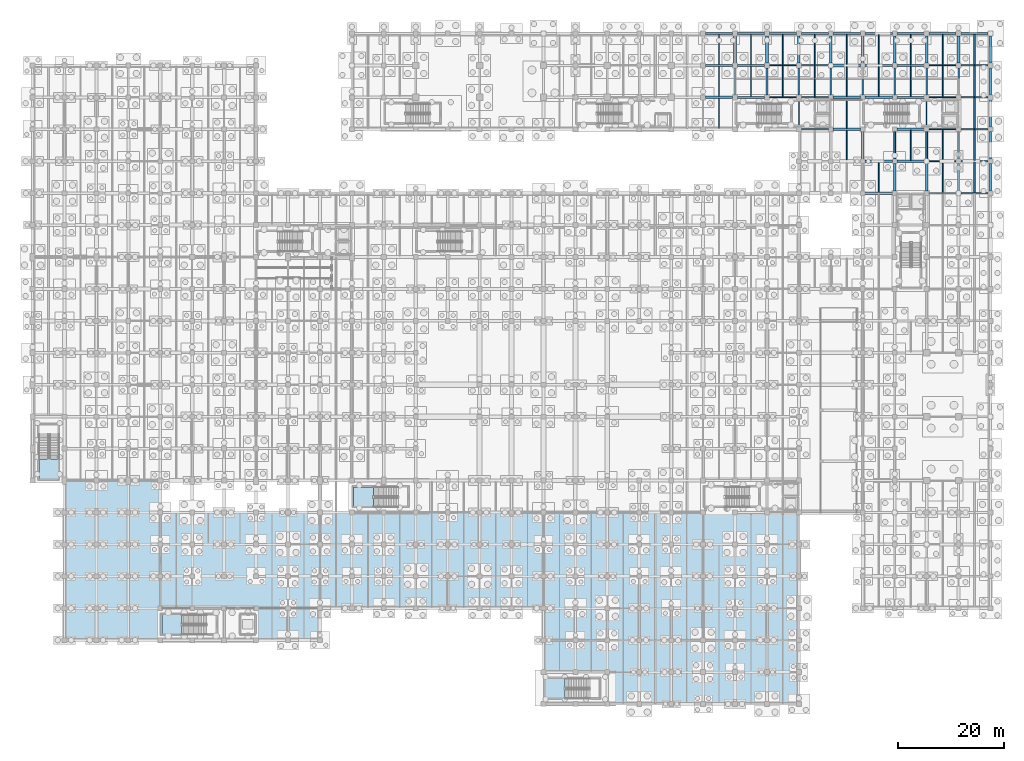
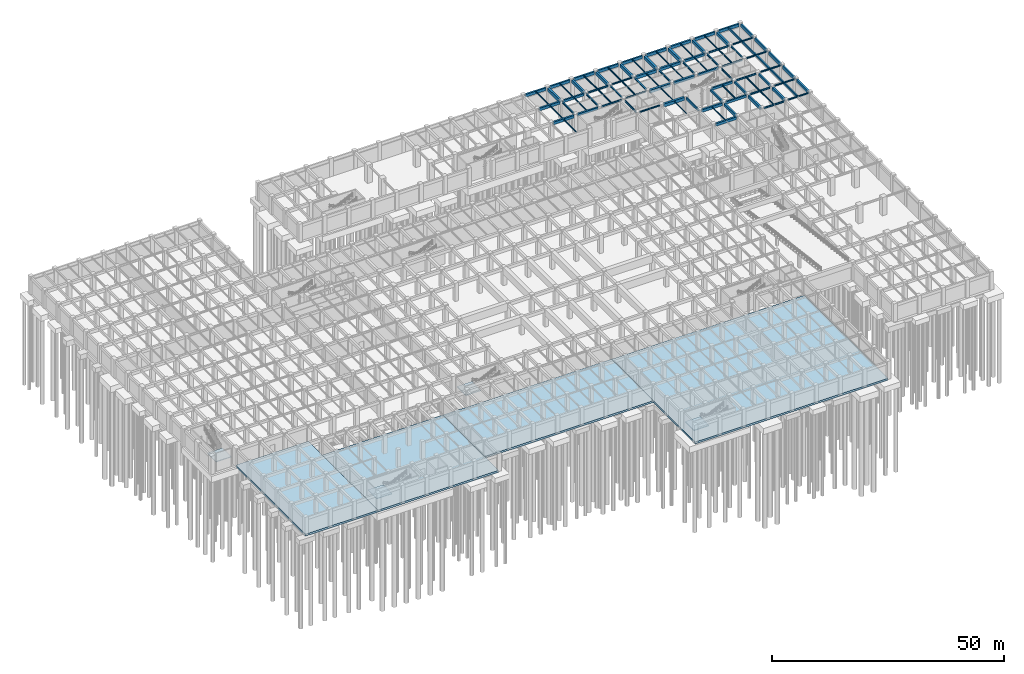
# One storey, part 36 of 54: 97 beams, 8 slabs, 4 elements without a shape of their own.
"""IFC4 building model written with IfcOpenShell, lengths in metres."""

import ifcopenshell
import ifcopenshell.guid

model = None  # the IFC model being written
_history = None  # IfcOwnerHistory: only IFC2X3 demands one
_inside = {}  # id of a spatial element -> (the spatial element, [elements in it])
_under = {}  # id of a project, library or spatial element -> (it, [spatial elements below it])
_declared = {}  # id of a project -> (the project, [libraries it declares])
_typed = {}  # id of a type object -> (the type object, [elements of that type])
_made_of = {}  # id of a material, layer set ... -> (it, [elements and type objects made of it])


def new_model(schema):
    """Start an empty IFC model of exactly this schema.

    Asked for "IFC4X3", IfcOpenShell would pick the latest addendum, in which some entities
    have other attributes; the version numbers below select the first issue.
    IFC2X3 requires an IfcOwnerHistory on every rooted entity: one is made here for all.
    """
    global model, _history
    if schema == "IFC4X3":
        model = ifcopenshell.file(schema_version=(4, 3, 0, 0))
    else:
        model = ifcopenshell.file(schema=schema)
    _inside.clear()
    _under.clear()
    _declared.clear()
    _typed.clear()
    _made_of.clear()
    _history = None
    if model.schema == "IFC2X3":
        org = make("IfcOrganization", Name="unknown")
        user = make(
            "IfcPersonAndOrganization",
            ThePerson=make("IfcPerson", FamilyName="unknown"),
            TheOrganization=org,
        )
        app = make(
            "IfcApplication",
            ApplicationDeveloper=org,
            Version="unknown",
            ApplicationFullName="unknown",
            ApplicationIdentifier="unknown",
        )
        _history = make(
            "IfcOwnerHistory",
            OwningUser=user,
            OwningApplication=app,
            ChangeAction="ADDED",
            CreationDate=0,
        )
    return model


def make(cls, **values):
    """One entity of the class cls with the attributes given. An attribute that is None is left unset."""
    return model.create_entity(
        cls, **{name: value for name, value in values.items() if value is not None}
    )


def rooted(cls, **values):
    """An entity with a GlobalId (a new one), such as an element, a storey or a relation."""
    return make(cls, GlobalId=ifcopenshell.guid.new(), OwnerHistory=_history, **values)


def si_unit(unit_type, name, prefix=None):
    """IfcSIUnit, for example si_unit("LENGTHUNIT", "METRE", prefix="MILLI")."""
    return make("IfcSIUnit", UnitType=unit_type, Prefix=prefix, Name=name)


def assignment(units):
    """IfcUnitAssignment: the units of a project."""
    return None if units is None else make("IfcUnitAssignment", Units=units)


def point(xyz):
    """IfcCartesianPoint."""
    return None if xyz is None else make("IfcCartesianPoint", Coordinates=xyz)


def direction(xyz):
    """IfcDirection."""
    return None if xyz is None else make("IfcDirection", DirectionRatios=xyz)


def frame(location, z_axis=None, x_axis=None):
    """IfcAxis2Placement3D, a coordinate frame: its origin and axes. An axis left out is left unset."""
    return make(
        "IfcAxis2Placement3D",
        Location=point(location),
        Axis=direction(z_axis),
        RefDirection=direction(x_axis),
    )


def frame_2d(location, x_axis=None):
    """IfcAxis2Placement2D, a coordinate frame in the plane: its origin and x axis."""
    return make(
        "IfcAxis2Placement2D", Location=point(location), RefDirection=direction(x_axis)
    )


def origin():
    """The frame at (0, 0, 0) with its axes left unset."""
    return frame((0.0, 0.0, 0.0))


def origin_2d():
    """The frame at (0, 0) in the plane with its x axis left unset."""
    return frame_2d((0.0, 0.0))


def place(relative_to, where):
    """IfcLocalPlacement: puts the frame where relative to a parent placement (None: the world)."""
    return make(
        "IfcLocalPlacement", PlacementRelTo=relative_to, RelativePlacement=where
    )


def context(
    kind, dimensions, precision=None, world=None, true_north=None, identifier=None
):
    """IfcGeometricRepresentationContext, for example the 3D "Model" context."""
    return make(
        "IfcGeometricRepresentationContext",
        ContextIdentifier=identifier,
        ContextType=kind,
        CoordinateSpaceDimension=dimensions,
        Precision=precision,
        WorldCoordinateSystem=world,
        TrueNorth=true_north,
    )


def subcontext(parent, identifier, kind, view, scale=None):
    """IfcGeometricRepresentationSubContext, for example "Body" below "Model"."""
    return make(
        "IfcGeometricRepresentationSubContext",
        ContextIdentifier=identifier,
        ContextType=kind,
        ParentContext=parent,
        TargetScale=scale,
        TargetView=view,
    )


def project(units=None, contexts=None):
    """IfcProject with its units and contexts."""
    return rooted(
        "IfcProject",
        Name="project",
        RepresentationContexts=contexts,
        UnitsInContext=assignment(units),
    )


def spatial(cls, under=None, at=None, **own):
    """A site, building, storey or space (cls), placed at a placement, below another one or the project."""
    s = rooted(cls, ObjectPlacement=at, **own)
    if under is not None:
        _under.setdefault(under.id(), (under, []))[1].append(s)
    return s


def polyline(points):
    """IfcPolyline through the points."""
    return make("IfcPolyline", Points=[point(p) for p in points])


def profile(cls, at=None, kind="AREA", **sizes):
    """A parametric profile (cls). Its sizes go by their IFC names, for example OverallWidth=200.0."""
    return make(cls, ProfileType=kind, Position=at, **sizes)


def rectangle(**sizes):
    """IfcRectangleProfileDef."""
    return profile("IfcRectangleProfileDef", **sizes)


def i_section(**sizes):
    """IfcIShapeProfileDef."""
    return profile("IfcIShapeProfileDef", **sizes)


def outline(outer, holes=None, kind="AREA"):
    """IfcArbitraryClosedProfileDef: a profile drawn as a closed curve; with holes, ...WithVoids."""
    if holes is None:
        return make("IfcArbitraryClosedProfileDef", ProfileType=kind, OuterCurve=outer)
    return make(
        "IfcArbitraryProfileDefWithVoids",
        ProfileType=kind,
        OuterCurve=outer,
        InnerCurves=holes,
    )


def extrude(swept, where, along, depth):
    """IfcExtrudedAreaSolid: the profile swept, set in the frame where, extruded along a direction by depth."""
    return make(
        "IfcExtrudedAreaSolid",
        SweptArea=swept,
        Position=where,
        ExtrudedDirection=direction(along),
        Depth=depth,
    )


def shape(context_of_items, identifier, shape_type, items):
    """IfcShapeRepresentation: the items that make up one representation, for example the "Body"."""
    return make(
        "IfcShapeRepresentation",
        ContextOfItems=context_of_items,
        RepresentationIdentifier=identifier,
        RepresentationType=shape_type,
        Items=items,
    )


def material(Name=None, Category=None):
    """IfcMaterial."""
    return make("IfcMaterial", Name=Name, Category=Category)


def layer(
    of_material, thickness, ventilated=None, Name=None, Category=None, Priority=None
):
    """IfcMaterialLayer: one layer of a wall or slab, of a material (None: an air gap)."""
    return make(
        "IfcMaterialLayer",
        Material=of_material,
        LayerThickness=thickness,
        IsVentilated=ventilated,
        Name=Name,
        Category=Category,
        Priority=Priority,
    )


def layer_set(layers, Name=None):
    """IfcMaterialLayerSet."""
    return make("IfcMaterialLayerSet", MaterialLayers=layers, LayerSetName=Name)


def material_profile(
    of_material, cross_section, Name=None, Category=None, Priority=None
):
    """IfcMaterialProfile: a cross section and its material."""
    return make(
        "IfcMaterialProfile",
        Name=Name,
        Material=of_material,
        Profile=cross_section,
        Priority=Priority,
        Category=Category,
    )


def profile_set(profiles, Name=None, composite=None):
    """IfcMaterialProfileSet."""
    return make(
        "IfcMaterialProfileSet",
        Name=Name,
        MaterialProfiles=profiles,
        CompositeProfile=composite,
    )


def made_of(thing, what):
    """Note that an element or type object is made of a material, layer set ...; save() writes the relation."""
    if what is not None:
        _made_of.setdefault(what.id(), (what, []))[1].append(thing)
    return thing


def type_object(cls, material=None, **own):
    """A type object (cls), such as IfcWallType, which elements share."""
    return made_of(rooted(cls, **own), material)


def element(
    cls,
    number,
    at=None,
    inside=None,
    cuts=None,
    type_object=None,
    material=None,
    context=None,
    identifier="Body",
    shape_type=None,
    held_by="IfcProductDefinitionShape",
    body=None,
    shapes=None,
    **own,
):
    """One element of the class cls, such as IfcWall. Its Tag is "e" and its number.

    at: its placement. inside: the storey or other place that contains it. cuts: it is an
    opening in that element (IfcRelVoidsElement). A single representation is given by context,
    identifier, shape_type and body (its items); several are given by shapes. held_by: the class
    of the entity that holds the representations. save() writes the other relations.
    """
    e = rooted(cls, Tag="e%d" % number, ObjectPlacement=at, **own)
    if body is not None:
        shapes = [shape(context, identifier, shape_type, body)]
    if shapes is not None:
        e.Representation = make(held_by, Representations=shapes)
    if inside is not None:
        _inside.setdefault(inside.id(), (inside, []))[1].append(e)
    if cuts is not None:
        rooted(
            "IfcRelVoidsElement", RelatingBuildingElement=cuts, RelatedOpeningElement=e
        )
    if type_object is not None:
        _typed.setdefault(type_object.id(), (type_object, []))[1].append(e)
    return made_of(e, material)


def aggregate(whole, parts):
    """IfcRelAggregates: a whole, such as a stair, and the parts it consists of."""
    return rooted("IfcRelAggregates", RelatingObject=whole, RelatedObjects=parts)


def save(model, path):
    """Write the relations noted so far, then the file.

    IfcRelAggregates (storeys below a building ...), IfcRelContainedInSpatialStructure (elements
    in a storey), IfcRelDefinesByType, IfcRelAssociatesMaterial and IfcRelDeclares: one each for
    every whole, place, type object, material and project.
    """
    for whole, parts in _under.values():
        aggregate(whole, parts)
    for where, things in _inside.values():
        rooted(
            "IfcRelContainedInSpatialStructure",
            RelatedElements=things,
            RelatingStructure=where,
        )
    for kind, things in _typed.values():
        rooted("IfcRelDefinesByType", RelatedObjects=things, RelatingType=kind)
    for what, things in _made_of.values():
        rooted("IfcRelAssociatesMaterial", RelatedObjects=things, RelatingMaterial=what)
    for by, libraries in _declared.values():
        rooted("IfcRelDeclares", RelatingContext=by, RelatedDefinitions=libraries)
    model.write(path)


model = new_model("IFC4")

# Units and contexts
model_context = context("Model", 3, precision=1e-05, world=origin(), true_north=direction((0.0, 1.0)))
body_context = subcontext(model_context, "Body", "Model", "MODEL_VIEW")
ifc_project = project(units=[si_unit("LENGTHUNIT", "METRE"), si_unit("AREAUNIT", "SQUARE_METRE"), si_unit("VOLUMEUNIT", "CUBIC_METRE"), si_unit("PLANEANGLEUNIT", "RADIAN"), si_unit("MASSUNIT", "GRAM", prefix="KILO"), si_unit("THERMODYNAMICTEMPERATUREUNIT", "KELVIN"), si_unit("POWERUNIT", "WATT")], contexts=[model_context])

# Site, building, storey
site_placement = place(None, origin())
site = spatial("IfcSite", under=ifc_project, at=site_placement, CompositionType="ELEMENT")
building_placement = place(site_placement, origin())
building = spatial("IfcBuilding", under=site, at=building_placement, Name="Phaisarnlok Congress Hotel", CompositionType="ELEMENT")
storey_placement = place(building_placement, frame((0.0, 0.0, -4.800048828125)))
storey = spatial("IfcBuildingStorey", under=building, at=storey_placement, Name="B01", CompositionType="ELEMENT", Elevation=-4.800048828125)

# Beams
ifc_material_1 = material(Name="Concrete C40/50", Category="concrete")
ifc_material_profile_1 = material_profile(ifc_material_1, rectangle(XDim=0.35009765625, YDim=0.550048828125, at=origin_2d()), Name="RC 350x550")
ifc_profile_set_1 = profile_set([ifc_material_profile_1], Name="Concrete C40/50")
beam_type_1 = type_object("IfcBeamType", Name="BM-RC-350x550", PredefinedType="BEAM", material=ifc_profile_set_1)
for number, where, z_axis, x_axis, name in (
    (1, (156.0, 102.445068359375, 4.22509765625), (0.0, 1.0, 0.0), (-1.0, 0.0, 0.0), "Beam B-01"),
    (2, (162.0, 102.445068359375, 4.22509765625), (0.0, 1.0, 0.0), (-1.0, 0.0, 0.0), "Beam B-01"),
    (3, (168.0, 102.445068359375, 4.22509765625), (0.0, 1.0, 0.0), (-1.0, 0.0, 0.0), "Beam B-01"),
    (4, (174.0, 102.445068359375, 4.22509765625), (0.0, 1.0, 0.0), (-1.0, 0.0, 0.0), "Beam B-01"),
):
    element("IfcBeam", number, at=place(storey_placement, frame(where, z_axis=z_axis, x_axis=x_axis)), inside=storey, type_object=beam_type_1, Name=name, PredefinedType="BEAM", context=body_context, shape_type="SweptSolid", body=[
        extrude(rectangle(XDim=0.35009765625, YDim=0.550048828125, at=origin_2d()), origin(), (0.0, 0.0, 1.0), 5.10986328125),
    ])
ifc_material_profile_2 = material_profile(ifc_material_1, rectangle(XDim=0.39990234375, YDim=0.60009765625, at=origin_2d()), Name="RC 400x600")
ifc_profile_set_2 = profile_set([ifc_material_profile_2], Name="Concrete C40/50")
beam_type_2 = type_object("IfcBeamType", Name="BM-RC-400x600", PredefinedType="BEAM", material=ifc_profile_set_2)
for number, where, z_axis, x_axis, name in (
    (5, (132.445068359375, 114.0, 4.199951171875), (1.0, 0.0, 0.0), (0.0, 1.0, 0.0), "Beam B-02"),
    (6, (132.445068359375, 120.0, 4.199951171875), (1.0, 0.0, 0.0), (0.0, 1.0, 0.0), "Beam B-02"),
    (7, (162.445068359375, 102.0, 4.199951171875), (1.0, 0.0, 0.0), (0.0, 1.0, 0.0), "Beam B-02"),
    (8, (162.445068359375, 108.0, 4.199951171875), (1.0, 0.0, 0.0), (0.0, 1.0, 0.0), "Beam B-02"),
    (9, (162.445068359375, 114.0, 4.199951171875), (1.0, 0.0, 0.0), (0.0, 1.0, 0.0), "Beam B-02"),
    (10, (162.445068359375, 120.0, 4.199951171875), (1.0, 0.0, 0.0), (0.0, 1.0, 0.0), "Beam B-02"),
):
    element("IfcBeam", number, at=place(storey_placement, frame(where, z_axis=z_axis, x_axis=x_axis)), inside=storey, type_object=beam_type_2, Name=name, PredefinedType="BEAM", context=body_context, shape_type="SweptSolid", body=[
        extrude(rectangle(XDim=0.39990234375, YDim=0.60009765625, at=origin_2d()), origin(), (0.0, 0.0, 1.0), 5.10986328125),
    ])
ifc_material_profile_3 = material_profile(ifc_material_1, rectangle(XDim=0.449951171875, YDim=0.699951171875, at=origin_2d()), Name="RC 450x700")
ifc_profile_set_3 = profile_set([ifc_material_profile_3], Name="Concrete C40/50")
beam_type_3 = type_object("IfcBeamType", Name="BM-RC-450x700", PredefinedType="BEAM", material=ifc_profile_set_3)
for number, where, z_axis, x_axis, name in (
    (11, (126.445068359375, 114.0, 4.150146484375), (1.0, 0.0, 0.0), (0.0, 1.0, 0.0), "Beam B-03"),
    (12, (126.445068359375, 120.0, 4.150146484375), (1.0, 0.0, 0.0), (0.0, 1.0, 0.0), "Beam B-03"),
    (13, (156.445068359375, 96.0, 4.150146484375), (1.0, 0.0, 0.0), (0.0, 1.0, 0.0), "Beam B-03"),
    (14, (156.445068359375, 102.0, 4.150146484375), (1.0, 0.0, 0.0), (0.0, 1.0, 0.0), "Beam B-03"),
    (15, (156.445068359375, 114.0, 4.150146484375), (1.0, 0.0, 0.0), (0.0, 1.0, 0.0), "Beam B-03"),
    (16, (156.445068359375, 120.0, 4.150146484375), (1.0, 0.0, 0.0), (0.0, 1.0, 0.0), "Beam B-03"),
    (17, (162.0, 96.445068359375, 4.150146484375), (0.0, 1.0, 0.0), (-1.0, 0.0, 0.0), "Beam B-03"),
    (18, (168.0, 96.445068359375, 4.150146484375), (0.0, 1.0, 0.0), (-1.0, 0.0, 0.0), "Beam B-03"),
    (19, (174.0, 96.445068359375, 4.150146484375), (0.0, 1.0, 0.0), (-1.0, 0.0, 0.0), "Beam B-03"),
):
    element("IfcBeam", number, at=place(storey_placement, frame(where, z_axis=z_axis, x_axis=x_axis)), inside=storey, type_object=beam_type_3, Name=name, PredefinedType="BEAM", context=body_context, shape_type="SweptSolid", body=[
        extrude(rectangle(XDim=0.449951171875, YDim=0.699951171875, at=origin_2d()), origin(), (0.0, 0.0, 1.0), 5.10986328125),
    ])
ifc_material_profile_4 = material_profile(ifc_material_1, rectangle(XDim=0.5, YDim=0.800048828125, at=origin_2d()), Name="RC 500x800")
ifc_profile_set_4 = profile_set([ifc_material_profile_4], Name="Concrete C40/50")
beam_type_4 = type_object("IfcBeamType", Name="BM-RC-500x800", PredefinedType="BEAM", material=ifc_profile_set_4)
for number, where, z_axis, x_axis, name in (
    (20, (132.0, 120.445068359375, 4.10009765625), (0.0, 1.0, 0.0), (-1.0, 0.0, 0.0), "Beam B-04"),
    (21, (138.0, 120.445068359375, 4.10009765625), (0.0, 1.0, 0.0), (-1.0, 0.0, 0.0), "Beam B-04"),
    (22, (144.0, 120.445068359375, 4.10009765625), (0.0, 1.0, 0.0), (-1.0, 0.0, 0.0), "Beam B-04"),
    (23, (150.445068359375, 108.0, 4.10009765625), (1.0, 0.0, 0.0), (0.0, 1.0, 0.0), "Beam B-04"),
    (24, (150.445068359375, 114.0, 4.10009765625), (1.0, 0.0, 0.0), (0.0, 1.0, 0.0), "Beam B-04"),
    (25, (150.445068359375, 120.0, 4.10009765625), (1.0, 0.0, 0.0), (0.0, 1.0, 0.0), "Beam B-04"),
    (26, (150.0, 120.445068359375, 4.10009765625), (0.0, 1.0, 0.0), (-1.0, 0.0, 0.0), "Beam B-04"),
    (27, (156.0, 120.445068359375, 4.10009765625), (0.0, 1.0, 0.0), (-1.0, 0.0, 0.0), "Beam B-04"),
    (28, (162.0, 120.445068359375, 4.10009765625), (0.0, 1.0, 0.0), (-1.0, 0.0, 0.0), "Beam B-04"),
    (29, (168.0, 120.445068359375, 4.10009765625), (0.0, 1.0, 0.0), (-1.0, 0.0, 0.0), "Beam B-04"),
    (30, (174.0, 120.445068359375, 4.10009765625), (0.0, 1.0, 0.0), (-1.0, 0.0, 0.0), "Beam B-04"),
):
    element("IfcBeam", number, at=place(storey_placement, frame(where, z_axis=z_axis, x_axis=x_axis)), inside=storey, type_object=beam_type_4, Name=name, PredefinedType="BEAM", context=body_context, shape_type="SweptSolid", body=[
        extrude(rectangle(XDim=0.5, YDim=0.800048828125, at=origin_2d()), origin(), (0.0, 0.0, 1.0), 5.10986328125),
    ])
ifc_material_2 = material(Name="Steel S355", Category="steel")
ifc_material_profile_5 = material_profile(ifc_material_2, i_section(OverallWidth=0.300048828125, OverallDepth=0.2900390625, WebThickness=0.008544921875, FlangeThickness=0.013916015625, FilletRadius=0.027099609375, at=origin_2d()), Name="HEA 300")
ifc_profile_set_5 = profile_set([ifc_material_profile_5], Name="Steel S355")
beam_type_5 = type_object("IfcBeamType", Name="BM-STL-HEA300", PredefinedType="BEAM", material=ifc_profile_set_5)
for number, where, z_axis, x_axis, name in (
    (31, (144.445068359375, 108.0, 4.35498046875), (1.0, 0.0, 0.0), (0.0, 1.0, 0.0), "Beam SB-05"),
    (32, (144.445068359375, 114.0, 4.35498046875), (1.0, 0.0, 0.0), (0.0, 1.0, 0.0), "Beam SB-05"),
    (33, (144.445068359375, 120.0, 4.35498046875), (1.0, 0.0, 0.0), (0.0, 1.0, 0.0), "Beam SB-05"),
    (34, (174.445068359375, 96.0, 4.35498046875), (1.0, 0.0, 0.0), (0.0, 1.0, 0.0), "Beam SB-05"),
    (35, (174.445068359375, 102.0, 4.35498046875), (1.0, 0.0, 0.0), (0.0, 1.0, 0.0), "Beam SB-05"),
    (36, (174.445068359375, 108.0, 4.35498046875), (1.0, 0.0, 0.0), (0.0, 1.0, 0.0), "Beam SB-05"),
    (37, (174.445068359375, 114.0, 4.35498046875), (1.0, 0.0, 0.0), (0.0, 1.0, 0.0), "Beam SB-05"),
    (38, (174.445068359375, 120.0, 4.35498046875), (1.0, 0.0, 0.0), (0.0, 1.0, 0.0), "Beam SB-05"),
):
    element("IfcBeam", number, at=place(storey_placement, frame(where, z_axis=z_axis, x_axis=x_axis)), inside=storey, type_object=beam_type_5, Name=name, PredefinedType="BEAM", context=body_context, shape_type="SweptSolid", body=[
        extrude(i_section(OverallWidth=0.300048828125, OverallDepth=0.2900390625, WebThickness=0.008544921875, FlangeThickness=0.013916015625, FilletRadius=0.027099609375, at=origin_2d()), origin(), (0.0, 0.0, 1.0), 5.10986328125),
    ])
ifc_material_profile_6 = material_profile(ifc_material_2, i_section(OverallWidth=0.300048828125, OverallDepth=0.340087890625, WebThickness=0.011962890625, FlangeThickness=0.021484375, FilletRadius=0.027099609375, at=origin_2d()), Name="HEB 340")
ifc_profile_set_6 = profile_set([ifc_material_profile_6], Name="Steel S355")
beam_type_6 = type_object("IfcBeamType", Name="BM-STL-HEB340", PredefinedType="BEAM", material=ifc_profile_set_6)
for number, where, z_axis, x_axis, name in (
    (39, (132.0, 114.445068359375, 4.330078125), (0.0, 1.0, 0.0), (-1.0, 0.0, 0.0), "Beam SB-07"),
    (40, (138.0, 114.445068359375, 4.330078125), (0.0, 1.0, 0.0), (-1.0, 0.0, 0.0), "Beam SB-07"),
    (41, (144.0, 114.445068359375, 4.330078125), (0.0, 1.0, 0.0), (-1.0, 0.0, 0.0), "Beam SB-07"),
    (42, (150.0, 114.445068359375, 4.330078125), (0.0, 1.0, 0.0), (-1.0, 0.0, 0.0), "Beam SB-07"),
    (43, (156.0, 114.445068359375, 4.330078125), (0.0, 1.0, 0.0), (-1.0, 0.0, 0.0), "Beam SB-07"),
    (44, (162.0, 114.445068359375, 4.330078125), (0.0, 1.0, 0.0), (-1.0, 0.0, 0.0), "Beam SB-07"),
    (45, (168.0, 114.445068359375, 4.330078125), (0.0, 1.0, 0.0), (-1.0, 0.0, 0.0), "Beam SB-07"),
    (46, (174.0, 114.445068359375, 4.330078125), (0.0, 1.0, 0.0), (-1.0, 0.0, 0.0), "Beam SB-07"),
):
    element("IfcBeam", number, at=place(storey_placement, frame(where, z_axis=z_axis, x_axis=x_axis)), inside=storey, type_object=beam_type_6, Name=name, PredefinedType="BEAM", context=body_context, shape_type="SweptSolid", body=[
        extrude(i_section(OverallWidth=0.300048828125, OverallDepth=0.340087890625, WebThickness=0.011962890625, FlangeThickness=0.021484375, FilletRadius=0.027099609375, at=origin_2d()), origin(), (0.0, 0.0, 1.0), 5.10986328125),
    ])
ifc_material_profile_7 = material_profile(ifc_material_2, i_section(OverallWidth=0.18994140625, OverallDepth=0.449951171875, WebThickness=0.009521484375, FlangeThickness=0.0146484375, FilletRadius=0.02099609375, at=origin_2d()), Name="IPE 450")
ifc_profile_set_7 = profile_set([ifc_material_profile_7], Name="Steel S355")
beam_type_7 = type_object("IfcBeamType", Name="BM-STL-IPE450", PredefinedType="BEAM", material=ifc_profile_set_7)
for number, where, z_axis, x_axis, name in (
    (47, (138.445068359375, 114.0, 4.275146484375), (1.0, 0.0, 0.0), (0.0, 1.0, 0.0), "Beam SB-01"),
    (48, (138.445068359375, 120.0, 4.275146484375), (1.0, 0.0, 0.0), (0.0, 1.0, 0.0), "Beam SB-01"),
    (49, (168.445068359375, 96.0, 4.275146484375), (1.0, 0.0, 0.0), (0.0, 1.0, 0.0), "Beam SB-01"),
    (50, (168.445068359375, 102.0, 4.275146484375), (1.0, 0.0, 0.0), (0.0, 1.0, 0.0), "Beam SB-01"),
    (51, (168.445068359375, 108.0, 4.275146484375), (1.0, 0.0, 0.0), (0.0, 1.0, 0.0), "Beam SB-01"),
    (52, (168.445068359375, 114.0, 4.275146484375), (1.0, 0.0, 0.0), (0.0, 1.0, 0.0), "Beam SB-01"),
    (53, (168.445068359375, 120.0, 4.275146484375), (1.0, 0.0, 0.0), (0.0, 1.0, 0.0), "Beam SB-01"),
):
    element("IfcBeam", number, at=place(storey_placement, frame(where, z_axis=z_axis, x_axis=x_axis)), inside=storey, type_object=beam_type_7, Name=name, PredefinedType="BEAM", context=body_context, shape_type="SweptSolid", body=[
        extrude(i_section(OverallWidth=0.18994140625, OverallDepth=0.449951171875, WebThickness=0.009521484375, FlangeThickness=0.0146484375, FilletRadius=0.02099609375, at=origin_2d()), origin(), (0.0, 0.0, 1.0), 5.10986328125),
    ])
ifc_material_profile_8 = material_profile(ifc_material_2, i_section(OverallWidth=0.199951171875, OverallDepth=0.5, WebThickness=0.01025390625, FlangeThickness=0.01611328125, FilletRadius=0.02099609375, at=origin_2d()), Name="IPE 500")
ifc_profile_set_8 = profile_set([ifc_material_profile_8], Name="Steel S355")
beam_type_8 = type_object("IfcBeamType", Name="BM-STL-IPE500", PredefinedType="BEAM", material=ifc_profile_set_8)
for number, where, z_axis, x_axis, name in (
    (54, (144.0, 108.445068359375, 4.25), (0.0, 1.0, 0.0), (-1.0, 0.0, 0.0), "Beam SB-02"),
    (55, (168.0, 108.445068359375, 4.25), (0.0, 1.0, 0.0), (-1.0, 0.0, 0.0), "Beam SB-02"),
):
    element("IfcBeam", number, at=place(storey_placement, frame(where, z_axis=z_axis, x_axis=x_axis)), inside=storey, type_object=beam_type_8, Name=name, PredefinedType="BEAM", context=body_context, shape_type="SweptSolid", body=[
        extrude(i_section(OverallWidth=0.199951171875, OverallDepth=0.5, WebThickness=0.01025390625, FlangeThickness=0.01611328125, FilletRadius=0.02099609375, at=origin_2d()), origin(), (0.0, 0.0, 1.0), 5.10986328125),
    ])
ifc_material_profile_9 = material_profile(ifc_material_1, rectangle(XDim=0.300048828125, YDim=0.5, at=origin_2d()), Name="RC 300x500")
ifc_profile_set_9 = profile_set([ifc_material_profile_9], Name="Concrete C40/50")
beam_type_9 = type_object("IfcBeamType", Name="JS-RC-300x500", PredefinedType="JOIST", material=ifc_profile_set_9)
for number, where, z_axis, x_axis, name in (
    (56, (177.0, 96.14501953125, 4.25), (0.0, 1.0, 0.0), (-1.0, 0.0, 0.0), "Secondary floor joist J-01"),
    (57, (177.0, 102.14501953125, 4.25), (0.0, 1.0, 0.0), (-1.0, 0.0, 0.0), "Secondary floor joist J-01"),
    (58, (177.0, 108.14501953125, 4.25), (0.0, 1.0, 0.0), (-1.0, 0.0, 0.0), "Secondary floor joist J-01"),
    (59, (177.0, 114.14501953125, 4.25), (0.0, 1.0, 0.0), (-1.0, 0.0, 0.0), "Secondary floor joist J-01"),
):
    element("IfcBeam", number, at=place(storey_placement, frame(where, z_axis=z_axis, x_axis=x_axis)), inside=storey, type_object=beam_type_9, Name=name, PredefinedType="JOIST", context=body_context, shape_type="SweptSolid", body=[
        extrude(rectangle(XDim=0.300048828125, YDim=0.5, at=origin_2d()), origin(), (0.0, 0.0, 1.0), 5.7099609375),
    ])
beam_1_placement = place(storey_placement, frame((177.0, 120.14501953125, 4.25), z_axis=(0.0, 1.0, 0.0), x_axis=(-1.0, 0.0, 0.0)))
element("IfcBeam", 60, at=beam_1_placement, inside=storey, type_object=beam_type_9, Name="Secondary floor joist J-01", PredefinedType="JOIST", context=body_context, shape_type="SweptSolid", body=[
    extrude(rectangle(XDim=0.300048828125, YDim=0.5, at=origin_2d()), origin(), (0.0, 0.0, 1.0), 5.659912109375),
])
ifc_material_profile_10 = material_profile(ifc_material_2, i_section(OverallWidth=0.135009765625, OverallDepth=0.27001953125, WebThickness=0.006591796875, FlangeThickness=0.01025390625, FilletRadius=0.014892578125, at=origin_2d()), Name="IPE 270")
ifc_profile_set_10 = profile_set([ifc_material_profile_10], Name="Steel S355")
beam_type_10 = type_object("IfcBeamType", Name="JS-STL-IPE270", PredefinedType="JOIST", material=ifc_profile_set_10)
for number, where, z_axis, x_axis, name in (
    (61, (153.0, 102.2451171875, 4.364990234375), (0.0, 1.0, 0.0), (-1.0, 0.0, 0.0), "Secondary floor joist J-02"),
    (62, (153.0, 108.2451171875, 4.364990234375), (0.0, 1.0, 0.0), (-1.0, 0.0, 0.0), "Secondary floor joist J-02"),
    (63, (153.0, 114.2451171875, 4.364990234375), (0.0, 1.0, 0.0), (-1.0, 0.0, 0.0), "Secondary floor joist J-02"),
):
    element("IfcBeam", number, at=place(storey_placement, frame(where, z_axis=z_axis, x_axis=x_axis)), inside=storey, type_object=beam_type_10, Name=name, PredefinedType="JOIST", context=body_context, shape_type="SweptSolid", body=[
        extrude(i_section(OverallWidth=0.135009765625, OverallDepth=0.27001953125, WebThickness=0.006591796875, FlangeThickness=0.01025390625, FilletRadius=0.014892578125, at=origin_2d()), origin(), (0.0, 0.0, 1.0), 5.509765625),
    ])
beam_2_placement = place(storey_placement, frame((153.0, 120.2451171875, 4.364990234375), z_axis=(0.0, 1.0, 0.0), x_axis=(-1.0, 0.0, 0.0)))
element("IfcBeam", 64, at=beam_2_placement, inside=storey, type_object=beam_type_10, Name="Secondary floor joist J-02", PredefinedType="JOIST", context=body_context, shape_type="SweptSolid", body=[
    extrude(i_section(OverallWidth=0.135009765625, OverallDepth=0.27001953125, WebThickness=0.006591796875, FlangeThickness=0.01025390625, FilletRadius=0.014892578125, at=origin_2d()), origin(), (0.0, 0.0, 1.0), 5.559814453125),
])
for number, where, z_axis, x_axis, name in (
    (65, (159.0, 96.219970703125, 4.364990234375), (0.0, 1.0, 0.0), (-1.0, 0.0, 0.0), "Secondary floor joist J-02"),
    (66, (159.0, 114.219970703125, 4.364990234375), (0.0, 1.0, 0.0), (-1.0, 0.0, 0.0), "Secondary floor joist J-02"),
):
    element("IfcBeam", number, at=place(storey_placement, frame(where, z_axis=z_axis, x_axis=x_axis)), inside=storey, type_object=beam_type_10, Name=name, PredefinedType="JOIST", context=body_context, shape_type="SweptSolid", body=[
        extrude(i_section(OverallWidth=0.135009765625, OverallDepth=0.27001953125, WebThickness=0.006591796875, FlangeThickness=0.01025390625, FilletRadius=0.014892578125, at=origin_2d()), origin(), (0.0, 0.0, 1.0), 5.56005859375),
    ])
beam_3_placement = place(storey_placement, frame((159.0, 120.219970703125, 4.364990234375), z_axis=(0.0, 1.0, 0.0), x_axis=(-1.0, 0.0, 0.0)))
element("IfcBeam", 67, at=beam_3_placement, inside=storey, type_object=beam_type_10, Name="Secondary floor joist J-02", PredefinedType="JOIST", context=body_context, shape_type="SweptSolid", body=[
    extrude(i_section(OverallWidth=0.135009765625, OverallDepth=0.27001953125, WebThickness=0.006591796875, FlangeThickness=0.01025390625, FilletRadius=0.014892578125, at=origin_2d()), origin(), (0.0, 0.0, 1.0), 5.5849609375),
])
ifc_material_profile_11 = material_profile(ifc_material_2, i_section(OverallWidth=0.14990234375, OverallDepth=0.300048828125, WebThickness=0.007080078125, FlangeThickness=0.0107421875, FilletRadius=0.014892578125, at=origin_2d()), Name="IPE 300")
ifc_profile_set_11 = profile_set([ifc_material_profile_11], Name="Steel S355")
beam_type_11 = type_object("IfcBeamType", Name="JS-STL-IPE300", PredefinedType="JOIST", material=ifc_profile_set_11)
beam_4_placement = place(storey_placement, frame((129.0, 108.195068359375, 4.35009765625), z_axis=(0.0, 1.0, 0.0), x_axis=(-1.0, 0.0, 0.0)))
element("IfcBeam", 68, at=beam_4_placement, inside=storey, type_object=beam_type_11, Name="Secondary floor joist J-03", PredefinedType="JOIST", context=body_context, shape_type="SweptSolid", body=[
    extrude(i_section(OverallWidth=0.14990234375, OverallDepth=0.300048828125, WebThickness=0.007080078125, FlangeThickness=0.0107421875, FilletRadius=0.014892578125, at=origin_2d()), origin(), (0.0, 0.0, 1.0), 5.5849609375),
])
beam_5_placement = place(storey_placement, frame((129.0, 114.219970703125, 4.35009765625), z_axis=(0.0, 1.0, 0.0), x_axis=(-1.0, 0.0, 0.0)))
element("IfcBeam", 69, at=beam_5_placement, inside=storey, type_object=beam_type_11, Name="Secondary floor joist J-03", PredefinedType="JOIST", context=body_context, shape_type="SweptSolid", body=[
    extrude(i_section(OverallWidth=0.14990234375, OverallDepth=0.300048828125, WebThickness=0.007080078125, FlangeThickness=0.0107421875, FilletRadius=0.014892578125, at=origin_2d()), origin(), (0.0, 0.0, 1.0), 5.56005859375),
])
beam_6_placement = place(storey_placement, frame((129.0, 120.219970703125, 4.35009765625), z_axis=(0.0, 1.0, 0.0), x_axis=(-1.0, 0.0, 0.0)))
element("IfcBeam", 70, at=beam_6_placement, inside=storey, type_object=beam_type_11, Name="Secondary floor joist J-03", PredefinedType="JOIST", context=body_context, shape_type="SweptSolid", body=[
    extrude(i_section(OverallWidth=0.14990234375, OverallDepth=0.300048828125, WebThickness=0.007080078125, FlangeThickness=0.0107421875, FilletRadius=0.014892578125, at=origin_2d()), origin(), (0.0, 0.0, 1.0), 5.5849609375),
])
for number, where, z_axis, x_axis, name in (
    (71, (135.0, 114.195068359375, 4.35009765625), (0.0, 1.0, 0.0), (-1.0, 0.0, 0.0), "Secondary floor joist J-03"),
    (72, (135.0, 120.195068359375, 4.35009765625), (0.0, 1.0, 0.0), (-1.0, 0.0, 0.0), "Secondary floor joist J-03"),
):
    element("IfcBeam", number, at=place(storey_placement, frame(where, z_axis=z_axis, x_axis=x_axis)), inside=storey, type_object=beam_type_11, Name=name, PredefinedType="JOIST", context=body_context, shape_type="SweptSolid", body=[
        extrude(i_section(OverallWidth=0.14990234375, OverallDepth=0.300048828125, WebThickness=0.007080078125, FlangeThickness=0.0107421875, FilletRadius=0.014892578125, at=origin_2d()), origin(), (0.0, 0.0, 1.0), 5.60986328125),
    ])
ifc_material_profile_12 = material_profile(ifc_material_2, i_section(OverallWidth=0.169921875, OverallDepth=0.360107421875, WebThickness=0.008056640625, FlangeThickness=0.0126953125, FilletRadius=0.01806640625, at=origin_2d()), Name="IPE 360")
ifc_profile_set_12 = profile_set([ifc_material_profile_12], Name="Steel S355")
beam_type_12 = type_object("IfcBeamType", Name="JS-STL-IPE360", PredefinedType="JOIST", material=ifc_profile_set_12)
for number, where, z_axis, x_axis, name in (
    (73, (165.0, 102.195068359375, 4.320068359375), (0.0, 1.0, 0.0), (-1.0, 0.0, 0.0), "Secondary floor joist J-04"),
    (74, (165.0, 114.195068359375, 4.320068359375), (0.0, 1.0, 0.0), (-1.0, 0.0, 0.0), "Secondary floor joist J-04"),
    (75, (165.0, 120.195068359375, 4.320068359375), (0.0, 1.0, 0.0), (-1.0, 0.0, 0.0), "Secondary floor joist J-04"),
):
    element("IfcBeam", number, at=place(storey_placement, frame(where, z_axis=z_axis, x_axis=x_axis)), inside=storey, type_object=beam_type_12, Name=name, PredefinedType="JOIST", context=body_context, shape_type="SweptSolid", body=[
        extrude(i_section(OverallWidth=0.169921875, OverallDepth=0.360107421875, WebThickness=0.008056640625, FlangeThickness=0.0126953125, FilletRadius=0.01806640625, at=origin_2d()), origin(), (0.0, 0.0, 1.0), 5.60986328125),
    ])
for number, where, z_axis, x_axis, name in (
    (76, (171.0, 96.090087890625, 4.320068359375), (0.0, 1.0, 0.0), (-1.0, 0.0, 0.0), "Secondary floor joist J-04"),
    (77, (171.0, 102.090087890625, 4.320068359375), (0.0, 1.0, 0.0), (-1.0, 0.0, 0.0), "Secondary floor joist J-04"),
    (78, (171.0, 114.090087890625, 4.320068359375), (0.0, 1.0, 0.0), (-1.0, 0.0, 0.0), "Secondary floor joist J-04"),
):
    element("IfcBeam", number, at=place(storey_placement, frame(where, z_axis=z_axis, x_axis=x_axis)), inside=storey, type_object=beam_type_12, Name=name, PredefinedType="JOIST", context=body_context, shape_type="SweptSolid", body=[
        extrude(i_section(OverallWidth=0.169921875, OverallDepth=0.360107421875, WebThickness=0.008056640625, FlangeThickness=0.0126953125, FilletRadius=0.01806640625, at=origin_2d()), origin(), (0.0, 0.0, 1.0), 5.81982421875),
    ])
beam_7_placement = place(storey_placement, frame((171.0, 120.090087890625, 4.320068359375), z_axis=(0.0, 1.0, 0.0), x_axis=(-1.0, 0.0, 0.0)))
element("IfcBeam", 79, at=beam_7_placement, inside=storey, type_object=beam_type_12, Name="Secondary floor joist J-04", PredefinedType="JOIST", context=body_context, shape_type="SweptSolid", body=[
    extrude(i_section(OverallWidth=0.169921875, OverallDepth=0.360107421875, WebThickness=0.008056640625, FlangeThickness=0.0126953125, FilletRadius=0.01806640625, at=origin_2d()), origin(), (0.0, 0.0, 1.0), 5.71484375),
])
ifc_material_profile_13 = material_profile(ifc_material_2, i_section(OverallWidth=0.179931640625, OverallDepth=0.39990234375, WebThickness=0.008544921875, FlangeThickness=0.013427734375, FilletRadius=0.02099609375, at=origin_2d()), Name="IPE 400")
ifc_profile_set_13 = profile_set([ifc_material_profile_13], Name="Steel S355")
beam_type_13 = type_object("IfcBeamType", Name="JS-STL-IPE400", PredefinedType="JOIST", material=ifc_profile_set_13)
beam_8_placement = place(storey_placement, frame((141.0, 114.090087890625, 4.300048828125), z_axis=(0.0, 1.0, 0.0), x_axis=(-1.0, 0.0, 0.0)))
element("IfcBeam", 80, at=beam_8_placement, inside=storey, type_object=beam_type_13, Name="Secondary floor joist J-05", PredefinedType="JOIST", context=body_context, shape_type="SweptSolid", body=[
    extrude(i_section(OverallWidth=0.179931640625, OverallDepth=0.39990234375, WebThickness=0.008544921875, FlangeThickness=0.013427734375, FilletRadius=0.02099609375, at=origin_2d()), origin(), (0.0, 0.0, 1.0), 5.81982421875),
])
beam_9_placement = place(storey_placement, frame((141.0, 120.090087890625, 4.300048828125), z_axis=(0.0, 1.0, 0.0), x_axis=(-1.0, 0.0, 0.0)))
element("IfcBeam", 81, at=beam_9_placement, inside=storey, type_object=beam_type_13, Name="Secondary floor joist J-05", PredefinedType="JOIST", context=body_context, shape_type="SweptSolid", body=[
    extrude(i_section(OverallWidth=0.179931640625, OverallDepth=0.39990234375, WebThickness=0.008544921875, FlangeThickness=0.013427734375, FilletRadius=0.02099609375, at=origin_2d()), origin(), (0.0, 0.0, 1.0), 5.71484375),
])
beam_10_placement = place(storey_placement, frame((147.0, 114.14501953125, 4.300048828125), z_axis=(0.0, 1.0, 0.0), x_axis=(-1.0, 0.0, 0.0)))
element("IfcBeam", 82, at=beam_10_placement, inside=storey, type_object=beam_type_13, Name="Secondary floor joist J-05", PredefinedType="JOIST", context=body_context, shape_type="SweptSolid", body=[
    extrude(i_section(OverallWidth=0.179931640625, OverallDepth=0.39990234375, WebThickness=0.008544921875, FlangeThickness=0.013427734375, FilletRadius=0.02099609375, at=origin_2d()), origin(), (0.0, 0.0, 1.0), 5.7099609375),
])
beam_11_placement = place(storey_placement, frame((147.0, 120.14501953125, 4.300048828125), z_axis=(0.0, 1.0, 0.0), x_axis=(-1.0, 0.0, 0.0)))
element("IfcBeam", 83, at=beam_11_placement, inside=storey, type_object=beam_type_13, Name="Secondary floor joist J-05", PredefinedType="JOIST", context=body_context, shape_type="SweptSolid", body=[
    extrude(i_section(OverallWidth=0.179931640625, OverallDepth=0.39990234375, WebThickness=0.008544921875, FlangeThickness=0.013427734375, FilletRadius=0.02099609375, at=origin_2d()), origin(), (0.0, 0.0, 1.0), 5.659912109375),
])
ifc_material_profile_14 = material_profile(ifc_material_1, rectangle(XDim=0.39990234375, YDim=0.75, at=origin_2d()), Name="RC 400x750")
ifc_profile_set_14 = profile_set([ifc_material_profile_14], Name="Concrete C40/50")
beam_type_14 = type_object("IfcBeamType", Name="SP-RC-400x750", PredefinedType="SPANDREL", material=ifc_profile_set_14)
for number, where, z_axis, x_axis, name in (
    (84, (126.445068359375, 126.0, 4.125), (1.0, 0.0, 0.0), (0.0, 1.0, 0.0), "Beam SP-02"),
    (85, (132.445068359375, 126.0, 4.125), (1.0, 0.0, 0.0), (0.0, 1.0, 0.0), "Beam SP-02"),
    (86, (138.445068359375, 126.0, 4.125), (1.0, 0.0, 0.0), (0.0, 1.0, 0.0), "Beam SP-02"),
    (87, (144.445068359375, 126.0, 4.125), (1.0, 0.0, 0.0), (0.0, 1.0, 0.0), "Beam SP-02"),
    (88, (150.445068359375, 126.0, 4.125), (1.0, 0.0, 0.0), (0.0, 1.0, 0.0), "Beam SP-02"),
    (89, (156.445068359375, 126.0, 4.125), (1.0, 0.0, 0.0), (0.0, 1.0, 0.0), "Beam SP-02"),
    (90, (162.445068359375, 126.0, 4.125), (1.0, 0.0, 0.0), (0.0, 1.0, 0.0), "Beam SP-02"),
    (91, (168.445068359375, 126.0, 4.125), (1.0, 0.0, 0.0), (0.0, 1.0, 0.0), "Beam SP-02"),
    (92, (174.445068359375, 126.0, 4.125), (1.0, 0.0, 0.0), (0.0, 1.0, 0.0), "Beam SP-02"),
    (93, (180.0, 96.445068359375, 4.125), (0.0, 1.0, 0.0), (-1.0, 0.0, 0.0), "Beam SP-02"),
    (94, (180.0, 102.445068359375, 4.125), (0.0, 1.0, 0.0), (-1.0, 0.0, 0.0), "Beam SP-02"),
    (95, (180.0, 108.445068359375, 4.125), (0.0, 1.0, 0.0), (-1.0, 0.0, 0.0), "Beam SP-02"),
    (96, (180.0, 114.445068359375, 4.125), (0.0, 1.0, 0.0), (-1.0, 0.0, 0.0), "Beam SP-02"),
    (97, (180.0, 120.445068359375, 4.125), (0.0, 1.0, 0.0), (-1.0, 0.0, 0.0), "Beam SP-02"),
):
    element("IfcBeam", number, at=place(storey_placement, frame(where, z_axis=z_axis, x_axis=x_axis)), inside=storey, type_object=beam_type_14, Name=name, PredefinedType="SPANDREL", context=body_context, shape_type="SweptSolid", body=[
        extrude(rectangle(XDim=0.39990234375, YDim=0.75, at=origin_2d()), origin(), (0.0, 0.0, 1.0), 5.10986328125),
    ])

# Slabs
ifc_layer_1 = layer(ifc_material_1, 0.5, Name="Concrete C40/50")
ifc_layer_set_1 = layer_set([ifc_layer_1], Name="Concrete C40/50")
slab_type_1 = type_object("IfcSlabType", Name="SLB-BASE-500", PredefinedType="BASESLAB", material=ifc_layer_set_1)
slab_1_placement = place(storey_placement, frame((0.0, 0.0, -0.5)))
element("IfcSlab", 98, at=slab_1_placement, inside=storey, type_object=slab_type_1, Name="Floor slab SL-B01 (B01 v2_sub)", PredefinedType="BASESLAB", context=body_context, shape_type="SweptSolid", body=[
    extrude(outline(polyline([(144.0, 0.0), (144.0, 36.0), (96.0, 36.0), (96.0, 0.0), (144.0, 0.0)])), origin(), (0.0, 0.0, 1.0), 0.5),
])
slab_2_placement = place(storey_placement, frame((0.0, 0.0, -0.5)))
element("IfcSlab", 99, at=slab_2_placement, inside=storey, type_object=slab_type_1, Name="Floor slab SL-B01 (B01 v4_s_sub)", PredefinedType="BASESLAB", context=body_context, shape_type="SweptSolid", body=[
    extrude(outline(polyline([(96.0, 18.0), (96.0, 36.0), (54.0, 36.0), (54.0, 18.0), (96.0, 18.0)])), origin(), (0.0, 0.0, 1.0), 0.5),
])
slab_3_placement = place(storey_placement, frame((0.0, 0.0, -0.5)))
element("IfcSlab", 100, at=slab_3_placement, inside=storey, type_object=slab_type_1, Name="Floor slab SL-B01 (B01 v6_mrt)", PredefinedType="BASESLAB", context=body_context, shape_type="SweptSolid", body=[
    extrude(outline(polyline([(54.0, 12.0), (54.0, 36.0), (24.0, 36.0), (24.0, 12.0), (54.0, 12.0)])), origin(), (0.0, 0.0, 1.0), 0.5),
])
slab_4_placement = place(storey_placement, frame((0.0, 0.0, -0.5)))
element("IfcSlab", 101, at=slab_4_placement, inside=storey, type_object=slab_type_1, Name="Floor slab SL-B01 (B01 v6_plaza_sub)", PredefinedType="BASESLAB", context=body_context, shape_type="SweptSolid", body=[
    extrude(outline(polyline([(24.0, 12.0), (24.0, 42.0), (6.0, 42.0), (6.0, 12.0), (24.0, 12.0)])), origin(), (0.0, 0.0, 1.0), 0.5),
])

# Stair, slab
stair_type = type_object("IfcStairType", Name="STR-DOG-01", PredefinedType="HALF_TURN_STAIR", material=ifc_material_1)
stair_1_placement = place(storey_placement, origin())
stair_1 = element("IfcStair", 102, at=stair_1_placement, inside=storey, type_object=stair_type, Name="B01 ST-03", PredefinedType="HALF_TURN_STAIR")
ifc_layer_2 = layer(ifc_material_1, 0.199951171875, Name="Concrete C40/50")
ifc_layer_set_2 = layer_set([ifc_layer_2], Name="Concrete C40/50")
slab_type_2 = type_object("IfcSlabType", Name="SLB-LND-200", PredefinedType="LANDING", material=ifc_layer_set_2)
slab_5_placement = place(storey_placement, frame((0.0, 0.0, 2.199951171875)))
slab_5 = element("IfcSlab", 103, at=slab_5_placement, type_object=slab_type_2, Name="ST-03 landing 1", PredefinedType="LANDING", context=body_context, shape_type="SweptSolid", body=[
    extrude(outline(polyline([(1.199951171875, 46.070068359375), (1.199951171875, 42.300048828125), (5.0, 42.300048828125), (5.0, 46.070068359375), (1.199951171875, 46.070068359375)])), origin(), (0.0, 0.0, 1.0), 0.2001953125),
])
aggregate(stair_1, [slab_5])

stair_2_placement = place(storey_placement, origin())
stair_2 = element("IfcStair", 104, at=stair_2_placement, inside=storey, type_object=stair_type, Name="B01 ST-04", PredefinedType="HALF_TURN_STAIR")
slab_6_placement = place(storey_placement, frame((0.0, 0.0, 2.199951171875)))
slab_6 = element("IfcSlab", 105, at=slab_6_placement, type_object=slab_type_2, Name="ST-04 landing 1", PredefinedType="LANDING", context=body_context, shape_type="SweptSolid", body=[
    extrude(outline(polyline([(100.070068359375, 4.800048828125), (96.300048828125, 4.800048828125), (96.300048828125, 1.0), (100.070068359375, 1.0), (100.070068359375, 4.800048828125)])), origin(), (0.0, 0.0, 1.0), 0.2001953125),
])
aggregate(stair_2, [slab_6])

stair_3_placement = place(storey_placement, origin())
stair_3 = element("IfcStair", 106, at=stair_3_placement, inside=storey, type_object=stair_type, Name="B01 ST-08", PredefinedType="HALF_TURN_STAIR")
slab_7_placement = place(storey_placement, frame((0.0, 0.0, 2.199951171875)))
slab_7 = element("IfcSlab", 107, at=slab_7_placement, type_object=slab_type_2, Name="ST-08 landing 1", PredefinedType="LANDING", context=body_context, shape_type="SweptSolid", body=[
    extrude(outline(polyline([(28.070068359375, 16.800048828125), (24.300048828125, 16.800048828125), (24.300048828125, 13.0), (28.070068359375, 13.0), (28.070068359375, 16.800048828125)])), origin(), (0.0, 0.0, 1.0), 0.2001953125),
])
aggregate(stair_3, [slab_7])

stair_4_placement = place(storey_placement, origin())
stair_4 = element("IfcStair", 108, at=stair_4_placement, inside=storey, type_object=stair_type, Name="B01 ST-12", PredefinedType="HALF_TURN_STAIR")
slab_8_placement = place(storey_placement, frame((0.0, 0.0, 2.199951171875)))
slab_8 = element("IfcSlab", 109, at=slab_8_placement, type_object=slab_type_2, Name="ST-12 landing 1", PredefinedType="LANDING", context=body_context, shape_type="SweptSolid", body=[
    extrude(outline(polyline([(64.070068359375, 40.800048828125), (60.300048828125, 40.800048828125), (60.300048828125, 37.0), (64.070068359375, 37.0), (64.070068359375, 40.800048828125)])), origin(), (0.0, 0.0, 1.0), 0.2001953125),
])
aggregate(stair_4, [slab_8])

save(model, "model.ifc")
